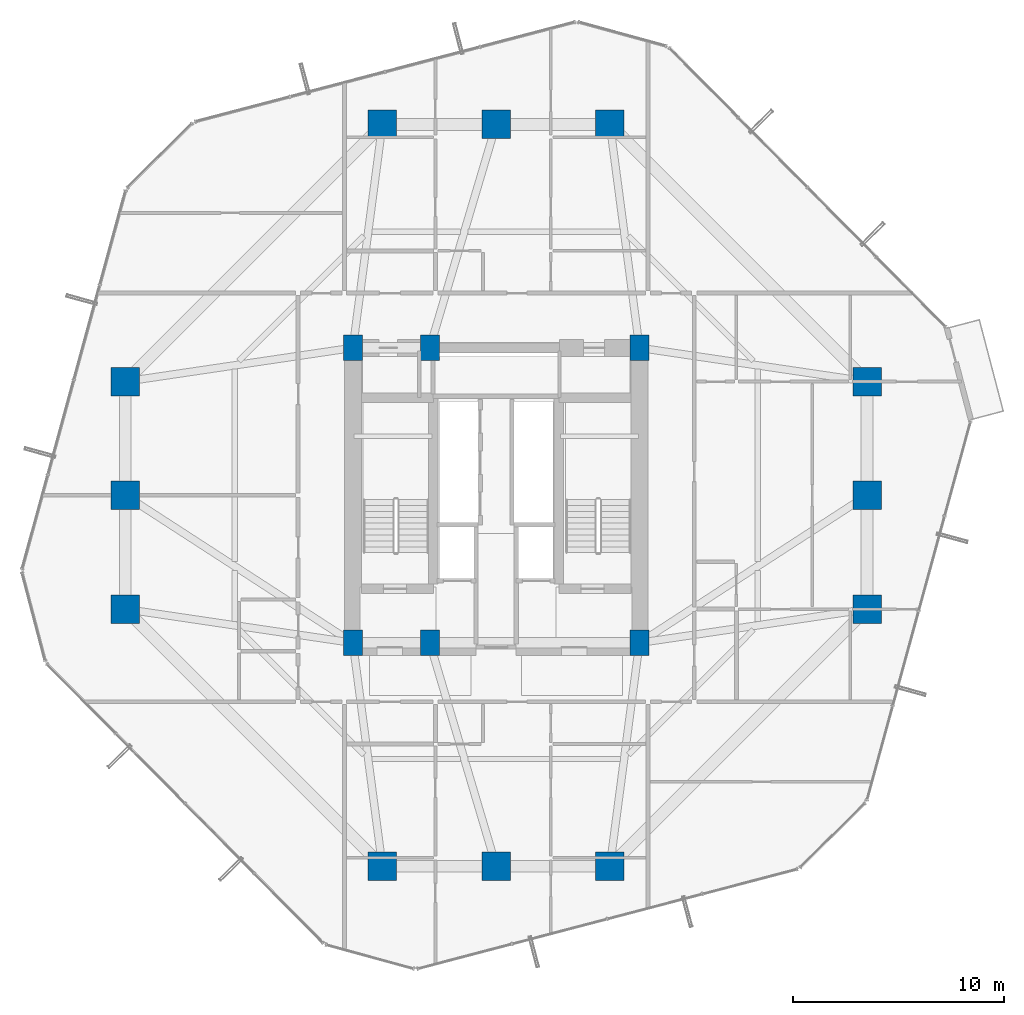
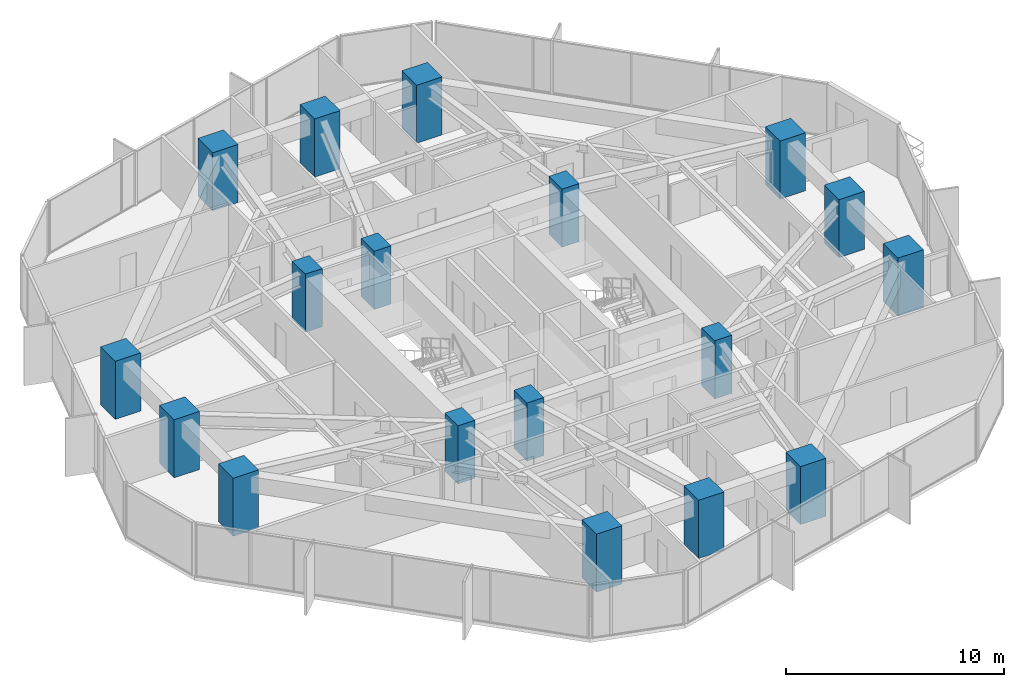
# One storey, part 1 of 39: 18 columns.
"""IFC4 building model written with IfcOpenShell, lengths in metres."""

from ifc_helpers import new_model, si_unit, direction, frame, origin, origin_2d, place, context, subcontext, project, spatial, rectangle, extrude, material, material_profile, profile_set, type_object, element, save


model = new_model("IFC4")

# Units and contexts
model_context = context("Model", 3, precision=1e-05, world=origin(), true_north=direction((0.0, 1.0)))
body_context = subcontext(model_context, "Body", "Model", "MODEL_VIEW")
ifc_project = project(units=[si_unit("LENGTHUNIT", "METRE"), si_unit("AREAUNIT", "SQUARE_METRE"), si_unit("VOLUMEUNIT", "CUBIC_METRE"), si_unit("PLANEANGLEUNIT", "RADIAN"), si_unit("MASSUNIT", "GRAM", prefix="KILO")], contexts=[model_context])

# Site, building, storey
site_placement = place(None, origin())
site = spatial("IfcSite", under=ifc_project, at=site_placement, CompositionType="ELEMENT")
building_placement = place(site_placement, origin())
building = spatial("IfcBuilding", under=site, at=building_placement, Name="Veraguas Prism Commons", CompositionType="ELEMENT")
storey_placement = place(building_placement, frame((0.0, 0.0, 73.85009765625)))
storey = spatial("IfcBuildingStorey", under=building, at=storey_placement, Name="L20", CompositionType="ELEMENT", Elevation=73.85009765625)

# Columns
ifc_material = material(Name="Concrete C60/75", Category="concrete")
ifc_material_profile_1 = material_profile(ifc_material, rectangle(XDim=1.35009765625, YDim=1.35009765625, at=origin_2d()), Name="RC1350X1350")
ifc_profile_set_1 = profile_set([ifc_material_profile_1], Name="Concrete C60/75")
column_type_1 = type_object("IfcColumnType", Name="Column Tube Z1 RC 1350x1350", PredefinedType="COLUMN", material=ifc_profile_set_1)
for number, where, z_axis, x_axis, name in (
    (1, (41.60009765625, 18.60009765625, 0.0), (0.0, 0.0, 1.0), (1.0, 0.0, 0.0), "Tower Perimeter Column L20-TB01"),
    (2, (41.60009765625, 24.0, 0.0), (0.0, 0.0, 1.0), (1.0, 0.0, 0.0), "Tower Perimeter Column L20-TB02"),
    (3, (41.60009765625, 29.39990234375, 0.0), (0.0, 0.0, 1.0), (1.0, 0.0, 0.0), "Tower Perimeter Column L20-TB03"),
    (4, (29.39990234375, 41.60009765625, 0.0), (0.0, 0.0, 1.0), (1.0, 0.0, 0.0), "Tower Perimeter Column L20-TB04"),
    (5, (24.0, 41.60009765625, 0.0), (0.0, 0.0, 1.0), (1.0, 0.0, 0.0), "Tower Perimeter Column L20-TB05"),
    (6, (18.60009765625, 41.60009765625, 0.0), (0.0, 0.0, 1.0), (1.0, 0.0, 0.0), "Tower Perimeter Column L20-TB06"),
    (7, (6.39990234375, 29.39990234375, 0.0), (0.0, 0.0, 1.0), (1.0, 0.0, 0.0), "Tower Perimeter Column L20-TB07"),
    (8, (6.39990234375, 24.0, 0.0), (0.0, 0.0, 1.0), (1.0, 0.0, 0.0), "Tower Perimeter Column L20-TB08"),
    (9, (6.39990234375, 18.60009765625, 0.0), (0.0, 0.0, 1.0), (1.0, 0.0, 0.0), "Tower Perimeter Column L20-TB09"),
    (10, (18.60009765625, 6.39990234375, 0.0), (0.0, 0.0, 1.0), (1.0, 0.0, 0.0), "Tower Perimeter Column L20-TB10"),
    (11, (24.0, 6.39990234375, 0.0), (0.0, 0.0, 1.0), (1.0, 0.0, 0.0), "Tower Perimeter Column L20-TB11"),
    (12, (29.39990234375, 6.39990234375, 0.0), (0.0, 0.0, 1.0), (1.0, 0.0, 0.0), "Tower Perimeter Column L20-TB12"),
):
    element("IfcColumn", number, at=place(storey_placement, frame(where, z_axis=z_axis, x_axis=x_axis)), inside=storey, type_object=column_type_1, Name=name, PredefinedType="COLUMN", context=body_context, shape_type="SweptSolid", body=[
        extrude(rectangle(XDim=1.35009765625, YDim=1.35009765625, at=origin_2d()), origin(), (0.0, 0.0, 1.0), 3.25),
    ])
ifc_material_profile_2 = material_profile(ifc_material, rectangle(XDim=0.89990234375, YDim=1.199951171875, at=origin_2d()), Name="RC900X1200")
ifc_profile_set_2 = profile_set([ifc_material_profile_2], Name="Concrete C60/75")
column_type_2 = type_object("IfcColumnType", Name="Pilaster Core Lower RC 900x1200", PredefinedType="PILASTER", material=ifc_profile_set_2)
for number, where, z_axis, x_axis, name in (
    (13, (17.199951171875, 17.0, 0.0), (0.0, 0.0, 1.0), (1.0, 0.0, 0.0), "Core Pilaster Column L20-CR1"),
    (14, (20.85009765625, 17.0, 0.0), (0.0, 0.0, 1.0), (1.0, 0.0, 0.0), "Core Pilaster Column L20-CR2"),
    (15, (30.800048828125, 17.0, 0.0), (0.0, 0.0, 1.0), (1.0, 0.0, 0.0), "Core Pilaster Column L20-CR3"),
    (16, (17.199951171875, 31.0, 0.0), (0.0, 0.0, 1.0), (1.0, 0.0, 0.0), "Core Pilaster Column L20-CR4"),
    (17, (20.85009765625, 31.0, 0.0), (0.0, 0.0, 1.0), (1.0, 0.0, 0.0), "Core Pilaster Column L20-CR5"),
    (18, (30.800048828125, 31.0, 0.0), (0.0, 0.0, 1.0), (1.0, 0.0, 0.0), "Core Pilaster Column L20-CR6"),
):
    element("IfcColumn", number, at=place(storey_placement, frame(where, z_axis=z_axis, x_axis=x_axis)), inside=storey, type_object=column_type_2, Name=name, PredefinedType="PILASTER", context=body_context, shape_type="SweptSolid", body=[
        extrude(rectangle(XDim=0.89990234375, YDim=1.199951171875, at=origin_2d()), origin(), (0.0, 0.0, 1.0), 3.25),
    ])

save(model, "model.ifc")
